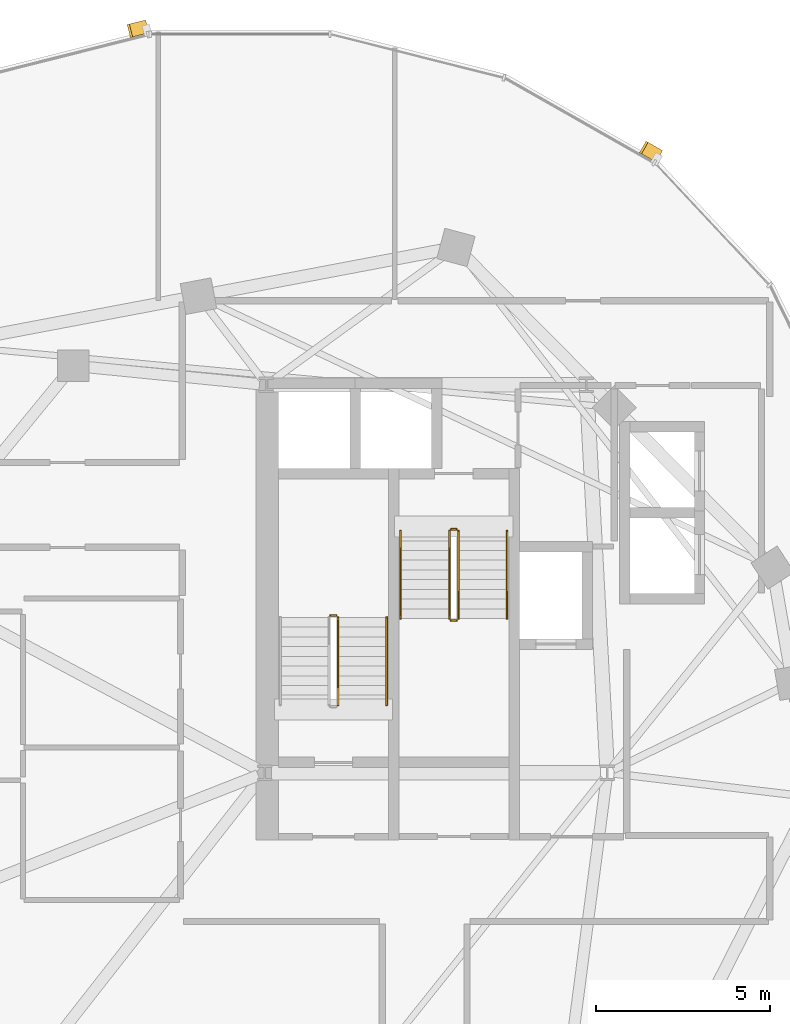
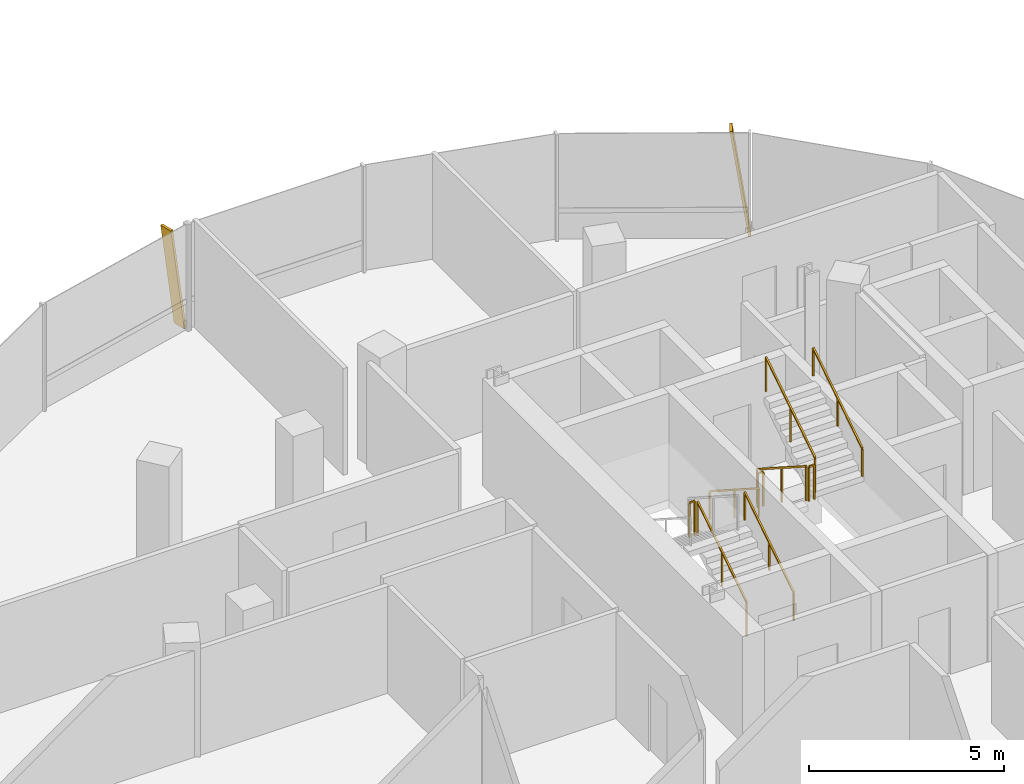
# One storey, part 23 of 25: 9 railings, 2 shading devices.
"""IFC4 building model written with IfcOpenShell, lengths in metres."""

from ifc_helpers import new_model, si_unit, direction, frame, origin, origin_2d, place, context, subcontext, project, spatial, rectangle, extrude, material, material_profile, profile_set, type_object, element, save


model = new_model("IFC4")

# Units and contexts
model_context = context("Model", 3, precision=1e-05, world=origin(), true_north=direction((0.0, 1.0)))
body_context = subcontext(model_context, "Body", "Model", "MODEL_VIEW")
ifc_project = project(units=[si_unit("LENGTHUNIT", "METRE"), si_unit("AREAUNIT", "SQUARE_METRE"), si_unit("VOLUMEUNIT", "CUBIC_METRE"), si_unit("PLANEANGLEUNIT", "RADIAN"), si_unit("MASSUNIT", "GRAM", prefix="KILO"), si_unit("THERMODYNAMICTEMPERATUREUNIT", "KELVIN"), si_unit("POWERUNIT", "WATT")], contexts=[model_context])

# Site, building, storey
site_placement = place(None, origin())
site = spatial("IfcSite", under=ifc_project, at=site_placement, CompositionType="ELEMENT")
building_placement = place(site_placement, origin())
building = spatial("IfcBuilding", under=site, at=building_placement, Name="Cundina Bronze Exchange", CompositionType="ELEMENT")
storey_placement = place(building_placement, frame((0.0, 0.0, 209.800048828125)))
storey = spatial("IfcBuildingStorey", under=building, at=storey_placement, Name="L55", CompositionType="ELEMENT", Elevation=209.800048828125)

# Railings
ifc_material_1 = material(Name="Steel ASTM A36 Painted", Category="steel")
railing_type_1 = type_object("IfcRailingType", Name="RLG-HND-900", PredefinedType="HANDRAIL", material=ifc_material_1)
railing_1_placement = place(storey_placement, frame((-27.7900390625, 5.85009765625, 0.179931640625)))
element("IfcRailing", 1, at=railing_1_placement, inside=storey, type_object=railing_type_1, Name="L55 ST-W1 stair handrail 1", PredefinedType="HANDRAIL", context=body_context, shape_type="SweptSolid", body=[
    extrude(rectangle(XDim=0.048095703125, YDim=0.048095703125, at=origin_2d()), frame((0.0, 0.0, 0.8759765625), z_axis=(0.0, 0.841162588446, 0.540782303519), x_axis=(-1.0, 0.0, 0.0)), (0.0, 0.0, 1.0), 2.995849609375),
    extrude(rectangle(XDim=0.0419921875, YDim=0.0419921875, at=origin_2d()), origin(), (0.0, 0.0, 1.0), 0.851806640625),
    extrude(rectangle(XDim=0.0419921875, YDim=0.0419921875, at=origin_2d()), frame((0.0, 1.260009765625, 0.81005859375)), (0.0, 0.0, 1.0), 0.851806640625),
    extrude(rectangle(XDim=0.0419921875, YDim=0.0419921875, at=origin_2d()), frame((0.0, 2.52001953125, 1.6201171875)), (0.0, 0.0, 1.0), 0.851806640625),
])
railing_2_placement = place(storey_placement, frame((-27.389892578125, 10.85009765625, 0.179931640625)))
element("IfcRailing", 2, at=railing_2_placement, inside=storey, type_object=railing_type_1, Name="L55 ST-W2 stair handrail 1", PredefinedType="HANDRAIL", context=body_context, shape_type="SweptSolid", body=[
    extrude(rectangle(XDim=0.048095703125, YDim=0.048095703125, at=origin_2d()), frame((0.0, 0.0, 0.8759765625), z_axis=(0.0, -0.841162588446, 0.540782303519), x_axis=(1.0, 0.0, 0.0)), (0.0, 0.0, 1.0), 2.995849609375),
    extrude(rectangle(XDim=0.0419921875, YDim=0.0419921875, at=origin_2d()), origin(), (0.0, 0.0, 1.0), 0.851806640625),
    extrude(rectangle(XDim=0.0419921875, YDim=0.0419921875, at=origin_2d()), frame((0.0, -1.260009765625, 0.81005859375)), (0.0, 0.0, 1.0), 0.851806640625),
    extrude(rectangle(XDim=0.0419921875, YDim=0.0419921875, at=origin_2d()), frame((0.0, -2.52001953125, 1.6201171875)), (0.0, 0.0, 1.0), 0.851806640625),
])
railing_3_placement = place(storey_placement, frame((-24.330078125, 8.330078125, 1.97998046875)))
element("IfcRailing", 3, at=railing_3_placement, inside=storey, type_object=railing_type_1, Name="L55 ST-W2 stair handrail 2", PredefinedType="HANDRAIL", context=body_context, shape_type="SweptSolid", body=[
    extrude(rectangle(XDim=0.048095703125, YDim=0.048095703125, at=origin_2d()), frame((0.0, 0.0, 0.8759765625), z_axis=(0.0, 0.841199657755, 0.540724639528), x_axis=(-1.0, 0.0, 0.0)), (0.0, 0.0, 1.0), 2.995849609375),
    extrude(rectangle(XDim=0.0419921875, YDim=0.0419921875, at=origin_2d()), origin(), (0.0, 0.0, 1.0), 0.851806640625),
    extrude(rectangle(XDim=0.0419921875, YDim=0.0419921875, at=origin_2d()), frame((0.0, 1.260009765625, 0.81005859375)), (0.0, 0.0, 1.0), 0.851806640625),
    extrude(rectangle(XDim=0.0419921875, YDim=0.0419921875, at=origin_2d()), frame((0.0, 2.52001953125, 1.619873046875)), (0.0, 0.0, 1.0), 0.851806640625),
])
railing_type_2 = type_object("IfcRailingType", Name="RLG-STG-1100", PredefinedType="GUARDRAIL", material=ifc_material_1)
railing_4_placement = place(storey_placement, frame((-29.18994140625, 5.85009765625, 0.179931640625)))
element("IfcRailing", 4, at=railing_4_placement, inside=storey, type_object=railing_type_2, Name="L55 ST-W1 stair guard 1", PredefinedType="GUARDRAIL", context=body_context, shape_type="SweptSolid", body=[
    extrude(rectangle(XDim=0.048095703125, YDim=0.048095703125, at=origin_2d()), frame((0.0, 0.0, 1.076171875), z_axis=(0.0, 0.841162588446, 0.540782303519), x_axis=(-1.0, 0.0, 0.0)), (0.0, 0.0, 1.0), 2.995849609375),
    extrude(rectangle(XDim=0.0419921875, YDim=0.0419921875, at=origin_2d()), origin(), (0.0, 0.0, 1.0), 1.052001953125),
    extrude(rectangle(XDim=0.0419921875, YDim=0.0419921875, at=origin_2d()), frame((0.0, 1.260009765625, 0.81005859375)), (0.0, 0.0, 1.0), 1.052001953125),
    extrude(rectangle(XDim=0.0419921875, YDim=0.0419921875, at=origin_2d()), frame((0.0, 2.52001953125, 1.6201171875)), (0.0, 0.0, 1.0), 1.052001953125),
])
railing_5_placement = place(storey_placement, frame((-29.239990234375, 8.419921875, 1.800048828125)))
element("IfcRailing", 5, at=railing_5_placement, inside=storey, type_object=railing_type_2, Name="L55 ST-W1 stair guard 2", PredefinedType="GUARDRAIL", context=body_context, shape_type="SweptSolid", body=[
    extrude(rectangle(XDim=0.048095703125, YDim=0.048095703125, at=origin_2d()), frame((0.0, 0.0, 1.076171875), z_axis=(-1.0, 0.0, 0.0), x_axis=(0.0, -1.0, 0.0)), (0.0, 0.0, 1.0), 0.159912109375),
    extrude(rectangle(XDim=0.0419921875, YDim=0.0419921875, at=origin_2d()), origin(), (0.0, 0.0, 1.0), 1.052001953125),
    extrude(rectangle(XDim=0.0419921875, YDim=0.0419921875, at=origin_2d()), frame((-0.159912109375, 0.0, 0.0)), (0.0, 0.0, 1.0), 1.052001953125),
])
railing_6_placement = place(storey_placement, frame((-25.989990234375, 10.85009765625, 0.179931640625)))
element("IfcRailing", 6, at=railing_6_placement, inside=storey, type_object=railing_type_2, Name="L55 ST-W2 stair guard 1", PredefinedType="GUARDRAIL", context=body_context, shape_type="SweptSolid", body=[
    extrude(rectangle(XDim=0.048095703125, YDim=0.048095703125, at=origin_2d()), frame((0.0, 0.0, 1.076171875), z_axis=(0.0, -0.841162588446, 0.540782303519), x_axis=(1.0, 0.0, 0.0)), (0.0, 0.0, 1.0), 2.995849609375),
    extrude(rectangle(XDim=0.0419921875, YDim=0.0419921875, at=origin_2d()), origin(), (0.0, 0.0, 1.0), 1.052001953125),
    extrude(rectangle(XDim=0.0419921875, YDim=0.0419921875, at=origin_2d()), frame((0.0, -1.260009765625, 0.81005859375)), (0.0, 0.0, 1.0), 1.052001953125),
    extrude(rectangle(XDim=0.0419921875, YDim=0.0419921875, at=origin_2d()), frame((0.0, -2.52001953125, 1.6201171875)), (0.0, 0.0, 1.0), 1.052001953125),
])
railing_7_placement = place(storey_placement, frame((-25.93994140625, 8.280029296875, 1.800048828125)))
element("IfcRailing", 7, at=railing_7_placement, inside=storey, type_object=railing_type_2, Name="L55 ST-W2 stair guard 2", PredefinedType="GUARDRAIL", context=body_context, shape_type="SweptSolid", body=[
    extrude(rectangle(XDim=0.048095703125, YDim=0.048095703125, at=origin_2d()), frame((0.0, 0.0, 1.076171875), z_axis=(1.0, 0.0, 0.0), x_axis=(0.0, 1.0, 0.0)), (0.0, 0.0, 1.0), 0.159912109375),
    extrude(rectangle(XDim=0.0419921875, YDim=0.0419921875, at=origin_2d()), origin(), (0.0, 0.0, 1.0), 1.052001953125),
    extrude(rectangle(XDim=0.0419921875, YDim=0.0419921875, at=origin_2d()), frame((0.159912109375, 0.0, 0.0)), (0.0, 0.0, 1.0), 1.052001953125),
])
railing_8_placement = place(storey_placement, frame((-25.72998046875, 8.330078125, 1.97998046875)))
element("IfcRailing", 8, at=railing_8_placement, inside=storey, type_object=railing_type_2, Name="L55 ST-W2 stair guard 3", PredefinedType="GUARDRAIL", context=body_context, shape_type="SweptSolid", body=[
    extrude(rectangle(XDim=0.048095703125, YDim=0.048095703125, at=origin_2d()), frame((0.0, 0.0, 1.076171875), z_axis=(0.0, 0.841199657755, 0.540724639528), x_axis=(-1.0, 0.0, 0.0)), (0.0, 0.0, 1.0), 2.995849609375),
    extrude(rectangle(XDim=0.0419921875, YDim=0.0419921875, at=origin_2d()), origin(), (0.0, 0.0, 1.0), 1.052001953125),
    extrude(rectangle(XDim=0.0419921875, YDim=0.0419921875, at=origin_2d()), frame((0.0, 1.260009765625, 0.81005859375)), (0.0, 0.0, 1.0), 1.052001953125),
    extrude(rectangle(XDim=0.0419921875, YDim=0.0419921875, at=origin_2d()), frame((0.0, 2.52001953125, 1.619873046875)), (0.0, 0.0, 1.0), 1.052001953125),
])
railing_9_placement = place(storey_placement, frame((-25.93994140625, 10.89990234375, 0.0)))
element("IfcRailing", 9, at=railing_9_placement, inside=storey, type_object=railing_type_2, Name="L55 ST-W2 stair guard 4", PredefinedType="GUARDRAIL", context=body_context, shape_type="SweptSolid", body=[
    extrude(rectangle(XDim=0.048095703125, YDim=0.048095703125, at=origin_2d()), frame((0.0, 0.0, 1.076171875), z_axis=(1.0, 0.0, 0.0), x_axis=(0.0, 1.0, 0.0)), (0.0, 0.0, 1.0), 0.159912109375),
    extrude(rectangle(XDim=0.0419921875, YDim=0.0419921875, at=origin_2d()), origin(), (0.0, 0.0, 1.0), 1.052001953125),
    extrude(rectangle(XDim=0.0419921875, YDim=0.0419921875, at=origin_2d()), frame((0.159912109375, 0.0, 0.0)), (0.0, 0.0, 1.0), 1.052001953125),
])

# Shading devices
ifc_material_2 = material(Name="Anodised Bronze Aluminium 6063-T6", Category="aluminium")
ifc_material_profile = material_profile(ifc_material_2, rectangle(XDim=0.070068359375, YDim=0.3798828125, at=origin_2d()), Name="FIN70X380", Category="aluminium")
ifc_profile_set = profile_set([ifc_material_profile], Name="Anodised Bronze Aluminium 6063-T6")
shading_device_type = type_object("IfcShadingDeviceType", Name="SHD-FIN-BRZ380", PredefinedType="USERDEFINED", material=ifc_profile_set)
for number, where, z_axis, x_axis, name in (
    (10, (-19.984375, 21.635498046875, 0.02001953125), (-0.125189514072, 0.071087145125, 0.989582843103), (0.860526986551, -0.488638423358, 0.143964567292), "L55 Diagonal Bronze Solar Fin 5"),
    (11, (-34.705810546875, 25.344482421875, 0.02001953125), (-0.139611891367, -0.03514090606, 0.989582556693), (0.959650042543, 0.24154799183, 0.143966536007), "L55 Diagonal Bronze Solar Fin 1"),
):
    element("IfcShadingDevice", number, at=place(storey_placement, frame(where, z_axis=z_axis, x_axis=x_axis)), inside=storey, type_object=shading_device_type, Name=name, ObjectType="FIN", PredefinedType="USERDEFINED", context=body_context, shape_type="SweptSolid", body=[
        extrude(rectangle(XDim=0.070068359375, YDim=0.3798828125, at=origin_2d()), origin(), (0.0, 0.0, 1.0), 3.334716796875),
    ])

save(model, "model.ifc")
